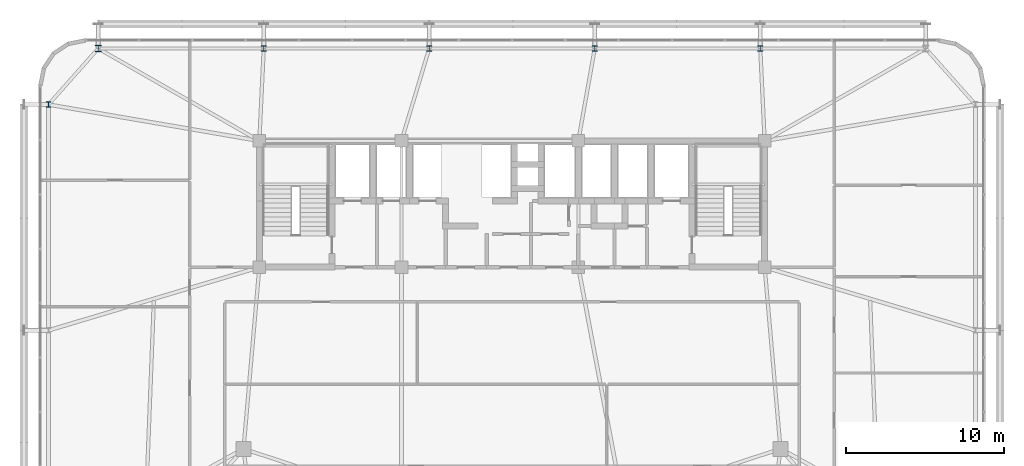
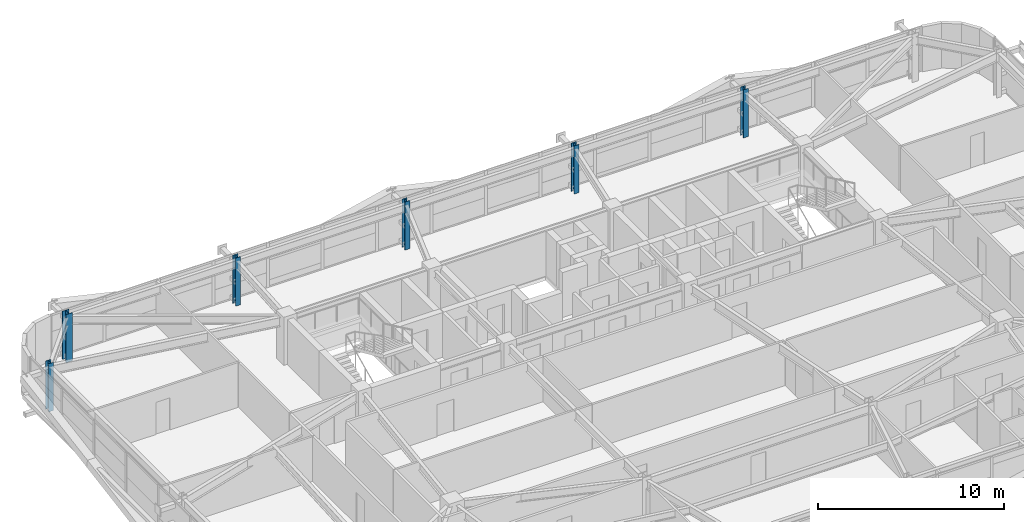
# One storey, part 3 of 59: 6 columns.
"""IFC4 building model written with IfcOpenShell, lengths in metres."""

from ifc_helpers import new_model, si_unit, direction, frame, origin, origin_2d, place, context, subcontext, project, spatial, i_section, extrude, source, transform, mapped, material, material_profile, profile_set, type_object, element, save


model = new_model("IFC4")

# Units and contexts
model_context = context("Model", 3, precision=1e-05, world=origin(), true_north=direction((0.0, 1.0)))
body_context = subcontext(model_context, "Body", "Model", "MODEL_VIEW")
ifc_project = project(units=[si_unit("LENGTHUNIT", "METRE"), si_unit("AREAUNIT", "SQUARE_METRE"), si_unit("VOLUMEUNIT", "CUBIC_METRE"), si_unit("PLANEANGLEUNIT", "RADIAN"), si_unit("MASSUNIT", "GRAM", prefix="KILO")], contexts=[model_context])

# Site, building, storey
site_placement = place(None, origin())
site = spatial("IfcSite", under=ifc_project, at=site_placement, CompositionType="ELEMENT")
building_placement = place(site_placement, origin())
building = spatial("IfcBuilding", under=site, at=building_placement, Name="Taldren Reach Tower", CompositionType="ELEMENT")
storey_placement = place(building_placement, frame((0.0, 0.0, 26.25)))
storey = spatial("IfcBuildingStorey", under=building, at=storey_placement, Name="L07", CompositionType="ELEMENT", Elevation=26.25)

# Columns
ifc_material = material(Name="Steel Gr 350 (350PLUS)", Category="steel")
ifc_material_profile_1 = material_profile(ifc_material, i_section(OverallWidth=0.39990234375, OverallDepth=0.39599609375, WebThickness=0.02197265625, FlangeThickness=0.033935546875, at=origin_2d()), Name="400WC270")
ifc_profile_set_1 = profile_set([ifc_material_profile_1], Name="Steel Gr 350 (350PLUS)")
column_type_1 = type_object("IfcColumnType", Name="COL-WC400", PredefinedType="COLUMN", material=ifc_profile_set_1)
shared_shape_1 = source(origin(), body_context, "Body", "SweptSolid", [
    extrude(i_section(OverallWidth=0.39990234375, OverallDepth=0.39599609375, WebThickness=0.02197265625, FlangeThickness=0.033935546875, at=origin_2d()), origin(), (0.0, 0.0, 1.0), 3.14990234375),
])
column_placement = place(storey_placement, frame((8.800048828125, 37.85009765625, 0.0), z_axis=(0.0, 0.0, 1.0), x_axis=(1.0, 0.0, 0.0)))
element("IfcColumn", 1, at=column_placement, inside=storey, type_object=column_type_1, Name="Block B1 perimeter column N1 L07", PredefinedType="COLUMN", context=body_context, shape_type="MappedRepresentation", body=[
    mapped(shared_shape_1, transform((0.0, 0.0, 0.0), scale=1.0)),
])
ifc_material_profile_2 = material_profile(ifc_material, i_section(OverallWidth=0.31103515625, OverallDepth=0.326904296875, WebThickness=0.015625, FlangeThickness=0.02490234375, at=origin_2d()), Name="310UC158")
ifc_profile_set_2 = profile_set([ifc_material_profile_2], Name="Steel Gr 350 (350PLUS)")
column_type_2 = type_object("IfcColumnType", Name="COL-UC310A", PredefinedType="COLUMN", material=ifc_profile_set_2)
shared_shape_2 = source(origin(), body_context, "Body", "SweptSolid", [
    extrude(i_section(OverallWidth=0.31103515625, OverallDepth=0.326904296875, WebThickness=0.015625, FlangeThickness=0.02490234375, at=origin_2d()), origin(), (0.0, 0.0, 1.0), 3.14990234375),
])
for number, where, z_axis, x_axis, name in (
    (2, (19.280029296875, 37.85009765625, 0.0), (0.0, 0.0, 1.0), (1.0, 0.0, 0.0), "Block B1 perimeter column N2 L07"),
    (3, (29.760009765625, 37.85009765625, 0.0), (0.0, 0.0, 1.0), (1.0, 0.0, 0.0), "Block B1 perimeter column N3 L07"),
    (4, (40.239990234375, 37.85009765625, 0.0), (0.0, 0.0, 1.0), (1.0, 0.0, 0.0), "Block B1 perimeter column N4 L07"),
    (5, (50.719970703125, 37.85009765625, 0.0), (0.0, 0.0, 1.0), (1.0, 0.0, 0.0), "Block B1 perimeter column N5 L07"),
    (6, (5.64990234375, 34.300048828125, 0.0), (0.0, 0.0, 1.0), (1.0, 0.0, 0.0), "Block B1 perimeter column W3 L07"),
):
    element("IfcColumn", number, at=place(storey_placement, frame(where, z_axis=z_axis, x_axis=x_axis)), inside=storey, type_object=column_type_2, Name=name, PredefinedType="COLUMN", context=body_context, shape_type="MappedRepresentation", body=[
        mapped(shared_shape_2, transform((0.0, 0.0, 0.0), scale=1.0)),
    ])

save(model, "model.ifc")
